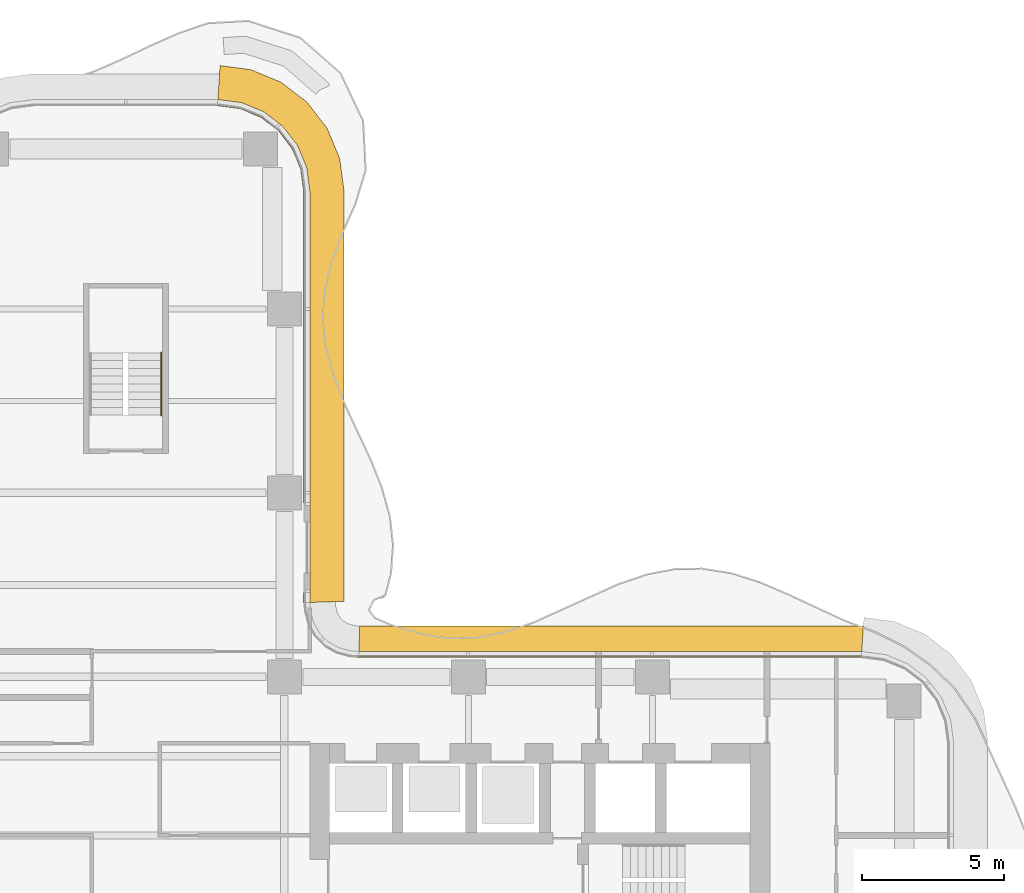
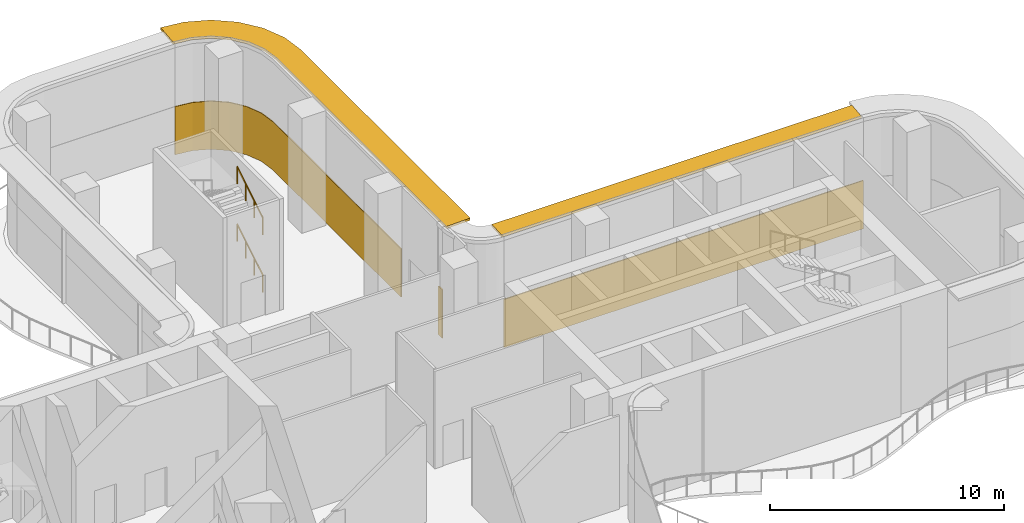
# One storey, part 18 of 19: 3 coverings, 2 railings, 2 shading devices, 3 elements without a shape of their own.
"""IFC4 building model written with IfcOpenShell, lengths in metres."""

from ifc_helpers import new_model, si_unit, direction, frame, origin, origin_2d, place, context, subcontext, project, spatial, polyline, circle, outline, extrude, source, transform, mapped, material, layer, layer_set, type_object, element, aggregate, save


model = new_model("IFC4")

# Units and contexts
model_context = context("Model", 3, precision=1e-05, world=origin(), true_north=direction((0.0, 1.0)))
body_context = subcontext(model_context, "Body", "Model", "MODEL_VIEW")
ifc_project = project(units=[si_unit("LENGTHUNIT", "METRE"), si_unit("AREAUNIT", "SQUARE_METRE"), si_unit("VOLUMEUNIT", "CUBIC_METRE"), si_unit("PLANEANGLEUNIT", "RADIAN"), si_unit("MASSUNIT", "GRAM", prefix="KILO")], contexts=[model_context])

# Site, building, storey
site_placement = place(None, origin())
site = spatial("IfcSite", under=ifc_project, at=site_placement, CompositionType="ELEMENT")
building_placement = place(site_placement, origin())
building = spatial("IfcBuilding", under=site, at=building_placement, Name="Trellis Farm Tower", CompositionType="ELEMENT")
storey_placement = place(building_placement, frame((0.0, 0.0, 156.0)))
storey = spatial("IfcBuildingStorey", under=building, at=storey_placement, Name="L33", CompositionType="ELEMENT", Elevation=156.0)

# Curtain wall, covering
ifc_material_1 = material(Name="Aluminium and glass curtain wall", Category="aluminium")
ifc_layer_1 = layer(ifc_material_1, 0.196044921875)
ifc_layer_set_1 = layer_set([ifc_layer_1], Name="LOUVRED GLASS CURTAIN WALL CW6")
curtain_wall_type = type_object("IfcCurtainWallType", Name="LOUVRED GLASS CURTAIN WALL CW6", PredefinedType="NOTDEFINED", material=ifc_layer_set_1)
placement_1 = place(storey_placement, origin())
curtain_wall_1 = element("IfcCurtainWall", 1, at=placement_1, inside=storey, type_object=curtain_wall_type, Name="CW6 009", PredefinedType="NOTDEFINED")
ifc_material_2 = material(Name="Anodised aluminium louvre", Category="aluminium")
ifc_layer_2 = layer(ifc_material_2, 0.050048828125)
ifc_layer_set_2 = layer_set([ifc_layer_2], Name="CW6 LOUVRE BANK 50")
covering_type = type_object("IfcCoveringType", Name="CW6 LOUVRE BANK 50", PredefinedType="USERDEFINED", material=ifc_layer_set_2)
covering_1 = element("IfcCovering", 2, at=placement_1, type_object=covering_type, Name="LV1 009", ObjectType="LOUVRE", PredefinedType="USERDEFINED", context=body_context, shape_type="SweptSolid", body=[
    extrude(outline(polyline([(25.989501953125, 6.340087890625), (8.22607421875, 6.340087890625), (8.224609375, 6.2900390625), (25.986328125, 6.2900390625), (25.989501953125, 6.340087890625)])), origin(), (0.0, 0.0, 1.0), 2.52001953125),
])
aggregate(curtain_wall_1, [covering_1])

curtain_wall_2 = element("IfcCurtainWall", 3, at=placement_1, inside=storey, type_object=curtain_wall_type, Name="CW6 011", PredefinedType="NOTDEFINED")
covering_2 = element("IfcCovering", 4, at=placement_1, type_object=covering_type, Name="LV1 011", ObjectType="LOUVRE", PredefinedType="USERDEFINED", context=body_context, shape_type="SweptSolid", body=[
    extrude(outline(polyline([(6.340087890625, 8.22607421875), (6.340087890625, 8.57568359375), (6.2900390625, 8.57568359375), (6.2900390625, 8.224609375), (6.340087890625, 8.22607421875)])), origin(), (0.0, 0.0, 1.0), 2.52001953125),
])
aggregate(curtain_wall_2, [covering_2])

curtain_wall_3 = element("IfcCurtainWall", 5, at=placement_1, inside=storey, type_object=curtain_wall_type, Name="CW6 012", PredefinedType="NOTDEFINED")
covering_3 = element("IfcCovering", 6, at=placement_1, type_object=covering_type, Name="LV1 012", ObjectType="LOUVRE", PredefinedType="USERDEFINED", context=body_context, shape_type="SweptSolid", body=[
    extrude(outline(polyline([(6.340087890625, 11.755615234375), (6.340087890625, 22.739501953125), (6.2333984375, 23.54931640625), (5.9248046875, 24.294189453125), (5.43408203125, 24.93408203125), (4.794189453125, 25.4248046875), (4.04931640625, 25.7333984375), (3.239501953125, 25.840087890625), (3.236328125, 25.7900390625), (4.036376953125, 25.6845703125), (4.76904296875, 25.381103515625), (5.3984375, 24.8984375), (5.881103515625, 24.26904296875), (6.1845703125, 23.536376953125), (6.2900390625, 22.736328125), (6.2900390625, 11.755615234375), (6.340087890625, 11.755615234375)])), origin(), (0.0, 0.0, 1.0), 2.52001953125),
])
aggregate(curtain_wall_3, [covering_3])

# Railings
ifc_material_3 = material(Name="Stainless steel", Category="steel")
railing_type = type_object("IfcRailingType", Name="STAIR HANDRAIL 900", PredefinedType="HANDRAIL", material=ifc_material_3)
shared_shape_1 = source(origin(), body_context, "Body", "SweptSolid", [
    extrude(circle(Radius=0.02392578125, at=origin_2d()), frame((0.0, 0.0, 0.8759765625), z_axis=(0.0, 0.85520675485, 0.518286992369), x_axis=(-1.0, 0.0, 0.0)), (0.0, 0.0, 1.0), 2.572509765625),
    extrude(circle(Radius=0.02099609375, at=origin_2d()), origin(), (0.0, 0.0, 1.0), 0.851806640625),
    extrude(circle(Radius=0.02099609375, at=origin_2d()), frame((0.0, 0.7333984375, 0.4443359375)), (0.0, 0.0, 1.0), 0.851806640625),
    extrude(circle(Radius=0.02099609375, at=origin_2d()), frame((0.0, 1.466552734375, 0.888916015625)), (0.0, 0.0, 1.0), 0.851806640625),
    extrude(circle(Radius=0.02099609375, at=origin_2d()), frame((0.0, 2.199951171875, 1.333251953125)), (0.0, 0.0, 1.0), 0.851806640625),
])
for number, where, name in (
    (7, (1.25, 14.85009765625, 0.166748046875), "Stair handrail"),
    (8, (1.25, 14.85009765625, 3.166748046875), "Stair handrail"),
):
    element("IfcRailing", number, at=place(storey_placement, frame(where)), inside=storey, type_object=railing_type, Name=name, PredefinedType="HANDRAIL", context=body_context, shape_type="MappedRepresentation", body=[
        mapped(shared_shape_1, transform((0.0, 0.0, 0.0))),
    ])

# Shading devices
ifc_material_4 = material(Name="Aluminium extrusion 6063-T6", Category="aluminium")
ifc_layer_3 = layer(ifc_material_4, 0.1201171875)
ifc_layer_set_3 = layer_set([ifc_layer_3], Name="SUNSHADE BLADE 900")
shading_device_type_1 = type_object("IfcShadingDeviceType", Name="SUNSHADE BLADE 900", PredefinedType="USERDEFINED", material=ifc_layer_set_3)
shared_shape_2 = source(origin(), body_context, "Body", "SweptSolid", [
    extrude(outline(polyline([(26.05908203125, 7.39990234375), (8.2607421875, 7.39990234375), (8.2314453125, 6.5), (26.0, 6.5), (26.05908203125, 7.39990234375)])), origin(), (0.0, 0.0, 1.0), 0.1201171875),
])
placement_2 = place(storey_placement, frame((0.0, 0.0, 5.639892578125)))
element("IfcShadingDevice", 9, at=placement_2, inside=storey, type_object=shading_device_type_1, Name="SD1 009", ObjectType="SUNSHADE", PredefinedType="USERDEFINED", context=body_context, shape_type="MappedRepresentation", body=[
    mapped(shared_shape_2, transform((0.0, 0.0, 0.0))),
])
ifc_layer_4 = layer(ifc_material_4, 0.1201171875)
ifc_layer_set_4 = layer_set([ifc_layer_4], Name="SUNSHADE BLADE 1200")
shading_device_type_2 = type_object("IfcShadingDeviceType", Name="SUNSHADE BLADE 1200", PredefinedType="USERDEFINED", material=ifc_layer_set_4)
shared_shape_3 = source(origin(), body_context, "Body", "SweptSolid", [
    extrude(outline(polyline([(7.699951171875, 8.270751953125), (7.699951171875, 22.82861328125), (7.558349609375, 23.904541015625), (7.11279296875, 24.980224609375), (6.404052734375, 25.904052734375), (5.480224609375, 26.61279296875), (4.404541015625, 27.058349609375), (3.32861328125, 27.199951171875), (3.25, 26.0), (4.091064453125, 25.88916015625), (4.875, 25.564697265625), (5.548095703125, 25.048095703125), (6.064697265625, 24.375), (6.38916015625, 23.591064453125), (6.5, 22.75), (6.5, 8.2314453125), (7.699951171875, 8.270751953125)])), origin(), (0.0, 0.0, 1.0), 0.1201171875),
])
element("IfcShadingDevice", 10, at=placement_2, inside=storey, type_object=shading_device_type_2, Name="SD2 011", ObjectType="SUNSHADE", PredefinedType="USERDEFINED", context=body_context, shape_type="MappedRepresentation", body=[
    mapped(shared_shape_3, transform((0.0, 0.0, 0.0))),
])

save(model, "model.ifc")
